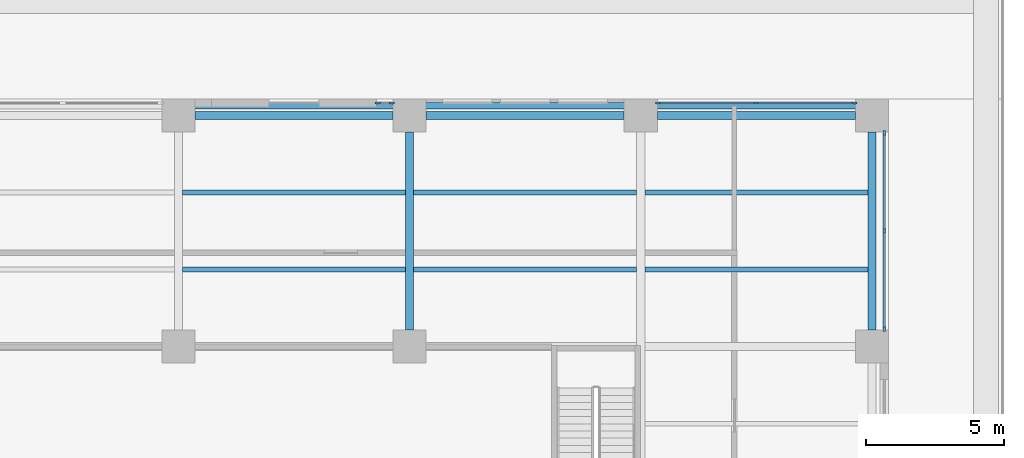
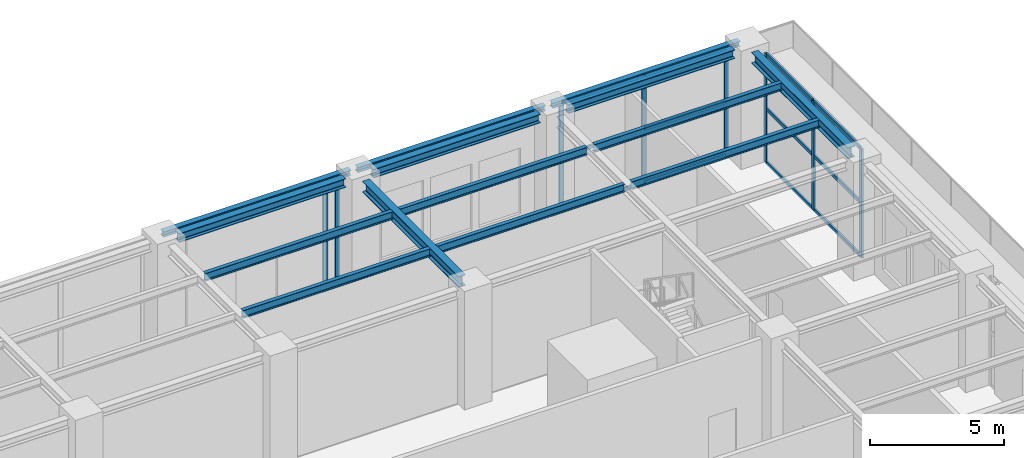
# One storey, part 10 of 36: 20 members, 14 beams, 3 elements without a shape of their own.
"""IFC4 building model written with IfcOpenShell, lengths in metres."""

from ifc_helpers import new_model, si_unit, direction, frame, origin, origin_2d, place, context, subcontext, project, spatial, rectangle, i_section, extrude, material, material_profile, profile_set, type_object, element, aggregate, save


model = new_model("IFC4")

# Units and contexts
model_context = context("Model", 3, precision=1e-05, world=origin(), true_north=direction((0.0, 1.0)))
body_context = subcontext(model_context, "Body", "Model", "MODEL_VIEW")
ifc_project = project(units=[si_unit("LENGTHUNIT", "METRE"), si_unit("AREAUNIT", "SQUARE_METRE"), si_unit("VOLUMEUNIT", "CUBIC_METRE"), si_unit("PLANEANGLEUNIT", "RADIAN"), si_unit("MASSUNIT", "GRAM", prefix="KILO")], contexts=[model_context])

# Site, building, storey
site_placement = place(None, origin())
site = spatial("IfcSite", under=ifc_project, at=site_placement, CompositionType="ELEMENT")
building_placement = place(site_placement, origin())
building = spatial("IfcBuilding", under=site, at=building_placement, Name="Khepri Terraces", CompositionType="ELEMENT")
storey_placement = place(building_placement, frame((0.0, 0.0, 16.800048828125)))
storey = spatial("IfcBuildingStorey", under=building, at=storey_placement, Name="L03", CompositionType="ELEMENT", Elevation=16.800048828125)

# Curtain wall, members
ifc_material_1 = material(Name="Anodised aluminium bronze curtain wall", Category="aluminium")
curtain_wall_type = type_object("IfcCurtainWallType", Name="CW-SYS5-BALLROOM", PredefinedType="NOTDEFINED", material=ifc_material_1)
curtain_wall_1_placement = place(storey_placement, origin())
curtain_wall_1 = element("IfcCurtainWall", 1, at=curtain_wall_1_placement, inside=storey, type_object=curtain_wall_type, Name="Curtain wall CW5 L03 E", PredefinedType="NOTDEFINED")
ifc_material_2 = material(Name="Anodised aluminium bronze", Category="aluminium")
ifc_material_profile_1 = material_profile(ifc_material_2, rectangle(XDim=0.080078125, YDim=0.199951171875, at=origin_2d()), Name="Anodised aluminium bronze", Category="aluminium")
ifc_profile_set_1 = profile_set([ifc_material_profile_1], Name="Anodised aluminium bronze")
member_type_1 = type_object("IfcMemberType", Name="CW-MULLION-80x200", PredefinedType="MULLION", material=ifc_profile_set_1)
member_1_placement = place(storey_placement, frame((34.050048828125, 25.840087890625, 0.0), z_axis=(0.0, 0.0, 1.0), x_axis=(-1.0, 0.0, 0.0)))
member_1 = element("IfcMember", 2, at=member_1_placement, type_object=member_type_1, Name="CW5 mullion 1", PredefinedType="MULLION", context=body_context, shape_type="SweptSolid", body=[
    extrude(rectangle(XDim=0.080078125, YDim=0.199951171875, at=origin_2d()), origin(), (0.0, 0.0, 1.0), 4.97998046875),
])
member_2_placement = place(storey_placement, frame((34.050048828125, 29.39990234375, 0.0), z_axis=(0.0, 0.0, 1.0), x_axis=(-1.0, 0.0, 0.0)))
member_2 = element("IfcMember", 3, at=member_2_placement, type_object=member_type_1, Name="CW5 mullion 2", PredefinedType="MULLION", context=body_context, shape_type="SweptSolid", body=[
    extrude(rectangle(XDim=0.080078125, YDim=0.199951171875, at=origin_2d()), origin(), (0.0, 0.0, 1.0), 4.97998046875),
])
member_3_placement = place(storey_placement, frame((34.050048828125, 32.9599609375, 0.0), z_axis=(0.0, 0.0, 1.0), x_axis=(-1.0, 0.0, 0.0)))
member_3 = element("IfcMember", 4, at=member_3_placement, type_object=member_type_1, Name="CW5 mullion 3", PredefinedType="MULLION", context=body_context, shape_type="SweptSolid", body=[
    extrude(rectangle(XDim=0.080078125, YDim=0.199951171875, at=origin_2d()), origin(), (0.0, 0.0, 1.0), 4.97998046875),
])

curtain_wall_2_placement = place(storey_placement, origin())
curtain_wall_2 = element("IfcCurtainWall", 5, at=curtain_wall_2_placement, inside=storey, type_object=curtain_wall_type, Name="Curtain wall CW5 L03 N", PredefinedType="NOTDEFINED")
member_4_placement = place(storey_placement, frame((32.9599609375, 34.050048828125, 0.0), z_axis=(0.0, 0.0, 1.0), x_axis=(0.0, -1.0, 0.0)))
member_4 = element("IfcMember", 6, at=member_4_placement, type_object=member_type_1, Name="CW5 mullion 1", PredefinedType="MULLION", context=body_context, shape_type="SweptSolid", body=[
    extrude(rectangle(XDim=0.080078125, YDim=0.199951171875, at=origin_2d()), origin(), (0.0, 0.0, 1.0), 4.97998046875),
])
member_5_placement = place(storey_placement, frame((29.39990234375, 34.050048828125, 0.0), z_axis=(0.0, 0.0, 1.0), x_axis=(0.0, -1.0, 0.0)))
member_5 = element("IfcMember", 7, at=member_5_placement, type_object=member_type_1, Name="CW5 mullion 2", PredefinedType="MULLION", context=body_context, shape_type="SweptSolid", body=[
    extrude(rectangle(XDim=0.080078125, YDim=0.199951171875, at=origin_2d()), origin(), (0.0, 0.0, 1.0), 4.97998046875),
])
member_6_placement = place(storey_placement, frame((25.840087890625, 34.050048828125, 0.0), z_axis=(0.0, 0.0, 1.0), x_axis=(0.0, -1.0, 0.0)))
member_6 = element("IfcMember", 8, at=member_6_placement, type_object=member_type_1, Name="CW5 mullion 3", PredefinedType="MULLION", context=body_context, shape_type="SweptSolid", body=[
    extrude(rectangle(XDim=0.080078125, YDim=0.199951171875, at=origin_2d()), origin(), (0.0, 0.0, 1.0), 4.97998046875),
])

curtain_wall_3_placement = place(storey_placement, origin())
curtain_wall_3 = element("IfcCurtainWall", 9, at=curtain_wall_3_placement, inside=storey, type_object=curtain_wall_type, Name="Curtain wall CW5 L03 N", PredefinedType="NOTDEFINED")
member_7_placement = place(storey_placement, frame((16.159912109375, 34.050048828125, 0.0), z_axis=(0.0, 0.0, 1.0), x_axis=(0.0, -1.0, 0.0)))
member_7 = element("IfcMember", 10, at=member_7_placement, type_object=member_type_1, Name="CW5 mullion 1", PredefinedType="MULLION", context=body_context, shape_type="SweptSolid", body=[
    extrude(rectangle(XDim=0.080078125, YDim=0.199951171875, at=origin_2d()), origin(), (0.0, 0.0, 1.0), 4.97998046875),
])
member_8_placement = place(storey_placement, frame((15.639892578125, 34.050048828125, 0.0), z_axis=(0.0, 0.0, 1.0), x_axis=(0.0, -1.0, 0.0)))
member_8 = element("IfcMember", 11, at=member_8_placement, type_object=member_type_1, Name="CW5 mullion 2", PredefinedType="MULLION", context=body_context, shape_type="SweptSolid", body=[
    extrude(rectangle(XDim=0.080078125, YDim=0.199951171875, at=origin_2d()), origin(), (0.0, 0.0, 1.0), 4.97998046875),
])
aggregate(curtain_wall_3, [member_7, member_8])

# Member
ifc_material_profile_2 = material_profile(ifc_material_2, rectangle(XDim=0.080078125, YDim=0.159912109375, at=origin_2d()), Name="Anodised aluminium bronze", Category="aluminium")
ifc_profile_set_2 = profile_set([ifc_material_profile_2], Name="Anodised aluminium bronze")
member_type_2 = type_object("IfcMemberType", Name="CW-TRANSOM-80x160", PredefinedType="USERDEFINED", material=ifc_profile_set_2)
member_9_placement = place(storey_placement, frame((34.050048828125, 25.8798828125, 0.0400390625), z_axis=(0.0, 1.0, 0.0), x_axis=(-1.0, 0.0, 0.0)))
member_9 = element("IfcMember", 12, at=member_9_placement, type_object=member_type_2, Name="CW5 transom 1.1", ObjectType="TRANSOM", PredefinedType="USERDEFINED", context=body_context, shape_type="SweptSolid", body=[
    extrude(rectangle(XDim=0.080078125, YDim=0.159912109375, at=origin_2d()), origin(), (0.0, 0.0, 1.0), 3.480224609375),
])

member_10_placement = place(storey_placement, frame((34.050048828125, 25.8798828125, 2.489990234375), z_axis=(0.0, 1.0, 0.0), x_axis=(-1.0, 0.0, 0.0)))
member_10 = element("IfcMember", 13, at=member_10_placement, type_object=member_type_2, Name="CW5 transom 1.2", ObjectType="TRANSOM", PredefinedType="USERDEFINED", context=body_context, shape_type="SweptSolid", body=[
    extrude(rectangle(XDim=0.080078125, YDim=0.159912109375, at=origin_2d()), origin(), (0.0, 0.0, 1.0), 3.480224609375),
])

member_11_placement = place(storey_placement, frame((34.050048828125, 25.8798828125, 4.93994140625), z_axis=(0.0, 1.0, 0.0), x_axis=(-1.0, 0.0, 0.0)))
member_11 = element("IfcMember", 14, at=member_11_placement, type_object=member_type_2, Name="CW5 transom 1.3", ObjectType="TRANSOM", PredefinedType="USERDEFINED", context=body_context, shape_type="SweptSolid", body=[
    extrude(rectangle(XDim=0.080078125, YDim=0.159912109375, at=origin_2d()), origin(), (0.0, 0.0, 1.0), 3.480224609375),
])

member_12_placement = place(storey_placement, frame((34.050048828125, 29.43994140625, 0.0400390625), z_axis=(0.0, 1.0, 0.0), x_axis=(-1.0, 0.0, 0.0)))
member_12 = element("IfcMember", 15, at=member_12_placement, type_object=member_type_2, Name="CW5 transom 2.1", ObjectType="TRANSOM", PredefinedType="USERDEFINED", context=body_context, shape_type="SweptSolid", body=[
    extrude(rectangle(XDim=0.080078125, YDim=0.159912109375, at=origin_2d()), origin(), (0.0, 0.0, 1.0), 3.47998046875),
])

member_13_placement = place(storey_placement, frame((34.050048828125, 29.43994140625, 2.489990234375), z_axis=(0.0, 1.0, 0.0), x_axis=(-1.0, 0.0, 0.0)))
member_13 = element("IfcMember", 16, at=member_13_placement, type_object=member_type_2, Name="CW5 transom 2.2", ObjectType="TRANSOM", PredefinedType="USERDEFINED", context=body_context, shape_type="SweptSolid", body=[
    extrude(rectangle(XDim=0.080078125, YDim=0.159912109375, at=origin_2d()), origin(), (0.0, 0.0, 1.0), 3.47998046875),
])

member_14_placement = place(storey_placement, frame((34.050048828125, 29.43994140625, 4.93994140625), z_axis=(0.0, 1.0, 0.0), x_axis=(-1.0, 0.0, 0.0)))
member_14 = element("IfcMember", 17, at=member_14_placement, type_object=member_type_2, Name="CW5 transom 2.3", ObjectType="TRANSOM", PredefinedType="USERDEFINED", context=body_context, shape_type="SweptSolid", body=[
    extrude(rectangle(XDim=0.080078125, YDim=0.159912109375, at=origin_2d()), origin(), (0.0, 0.0, 1.0), 3.47998046875),
])

aggregate(curtain_wall_1, [member_1, member_2, member_3, member_9, member_10, member_11, member_12, member_13, member_14])

member_15_placement = place(storey_placement, frame((32.919921875, 34.050048828125, 0.0400390625), z_axis=(-1.0, 0.0, 0.0), x_axis=(0.0, -1.0, 0.0)))
member_15 = element("IfcMember", 18, at=member_15_placement, type_object=member_type_2, Name="CW5 transom 1.1", ObjectType="TRANSOM", PredefinedType="USERDEFINED", context=body_context, shape_type="SweptSolid", body=[
    extrude(rectangle(XDim=0.080078125, YDim=0.159912109375, at=origin_2d()), origin(), (0.0, 0.0, 1.0), 3.47998046875),
])

member_16_placement = place(storey_placement, frame((32.919921875, 34.050048828125, 2.489990234375), z_axis=(-1.0, 0.0, 0.0), x_axis=(0.0, -1.0, 0.0)))
member_16 = element("IfcMember", 19, at=member_16_placement, type_object=member_type_2, Name="CW5 transom 1.2", ObjectType="TRANSOM", PredefinedType="USERDEFINED", context=body_context, shape_type="SweptSolid", body=[
    extrude(rectangle(XDim=0.080078125, YDim=0.159912109375, at=origin_2d()), origin(), (0.0, 0.0, 1.0), 3.47998046875),
])

member_17_placement = place(storey_placement, frame((32.919921875, 34.050048828125, 4.93994140625), z_axis=(-1.0, 0.0, 0.0), x_axis=(0.0, -1.0, 0.0)))
member_17 = element("IfcMember", 20, at=member_17_placement, type_object=member_type_2, Name="CW5 transom 1.3", ObjectType="TRANSOM", PredefinedType="USERDEFINED", context=body_context, shape_type="SweptSolid", body=[
    extrude(rectangle(XDim=0.080078125, YDim=0.159912109375, at=origin_2d()), origin(), (0.0, 0.0, 1.0), 3.47998046875),
])

member_18_placement = place(storey_placement, frame((29.360107421875, 34.050048828125, 0.0400390625), z_axis=(-1.0, 0.0, 0.0), x_axis=(0.0, -1.0, 0.0)))
member_18 = element("IfcMember", 21, at=member_18_placement, type_object=member_type_2, Name="CW5 transom 2.1", ObjectType="TRANSOM", PredefinedType="USERDEFINED", context=body_context, shape_type="SweptSolid", body=[
    extrude(rectangle(XDim=0.080078125, YDim=0.159912109375, at=origin_2d()), origin(), (0.0, 0.0, 1.0), 3.480224609375),
])

member_19_placement = place(storey_placement, frame((29.360107421875, 34.050048828125, 2.489990234375), z_axis=(-1.0, 0.0, 0.0), x_axis=(0.0, -1.0, 0.0)))
member_19 = element("IfcMember", 22, at=member_19_placement, type_object=member_type_2, Name="CW5 transom 2.2", ObjectType="TRANSOM", PredefinedType="USERDEFINED", context=body_context, shape_type="SweptSolid", body=[
    extrude(rectangle(XDim=0.080078125, YDim=0.159912109375, at=origin_2d()), origin(), (0.0, 0.0, 1.0), 3.480224609375),
])

member_20_placement = place(storey_placement, frame((29.360107421875, 34.050048828125, 4.93994140625), z_axis=(-1.0, 0.0, 0.0), x_axis=(0.0, -1.0, 0.0)))
member_20 = element("IfcMember", 23, at=member_20_placement, type_object=member_type_2, Name="CW5 transom 2.3", ObjectType="TRANSOM", PredefinedType="USERDEFINED", context=body_context, shape_type="SweptSolid", body=[
    extrude(rectangle(XDim=0.080078125, YDim=0.159912109375, at=origin_2d()), origin(), (0.0, 0.0, 1.0), 3.480224609375),
])

aggregate(curtain_wall_2, [member_4, member_5, member_6, member_15, member_16, member_17, member_18, member_19, member_20])

# Beams
ifc_material_3 = material(Name="Steel S355", Category="steel")
ifc_material_profile_3 = material_profile(ifc_material_3, i_section(OverallWidth=0.239990234375, OverallDepth=0.22998046875, WebThickness=0.007568359375, FlangeThickness=0.011962890625, FilletRadius=0.02099609375, at=origin_2d()), Name="Steel S355", Category="steel")
ifc_profile_set_3 = profile_set([ifc_material_profile_3], Name="Steel S355")
beam_type_1 = type_object("IfcBeamType", Name="Podium edge beam L04 HEA 240", PredefinedType="SPANDREL", material=ifc_profile_set_3)
beam_1_placement = place(storey_placement, frame((8.550048828125, 33.949951171875, 5.0849609375), z_axis=(1.0, 0.0, 0.0), x_axis=(0.0, 1.0, 0.0)))
element("IfcBeam", 24, at=beam_1_placement, inside=storey, type_object=beam_type_1, Name="Podium edge beam L04 014", PredefinedType="SPANDREL", context=body_context, shape_type="SweptSolid", body=[
    extrude(i_section(OverallWidth=0.239990234375, OverallDepth=0.22998046875, WebThickness=0.007568359375, FlangeThickness=0.011962890625, FilletRadius=0.02099609375, at=origin_2d()), origin(), (0.0, 0.0, 1.0), 8.099853515625),
])
beam_2_placement = place(storey_placement, frame((16.949951171875, 33.949951171875, 5.0849609375), z_axis=(1.0, 0.0, 0.0), x_axis=(0.0, 1.0, 0.0)))
element("IfcBeam", 25, at=beam_2_placement, inside=storey, type_object=beam_type_1, Name="Podium edge beam L04 015", PredefinedType="SPANDREL", context=body_context, shape_type="SweptSolid", body=[
    extrude(i_section(OverallWidth=0.239990234375, OverallDepth=0.22998046875, WebThickness=0.007568359375, FlangeThickness=0.011962890625, FilletRadius=0.02099609375, at=origin_2d()), origin(), (0.0, 0.0, 1.0), 8.10009765625),
])
beam_3_placement = place(storey_placement, frame((25.35009765625, 33.949951171875, 5.0849609375), z_axis=(1.0, 0.0, 0.0), x_axis=(0.0, 1.0, 0.0)))
element("IfcBeam", 26, at=beam_3_placement, inside=storey, type_object=beam_type_1, Name="Podium edge beam L04 016", PredefinedType="SPANDREL", context=body_context, shape_type="SweptSolid", body=[
    extrude(i_section(OverallWidth=0.239990234375, OverallDepth=0.22998046875, WebThickness=0.007568359375, FlangeThickness=0.011962890625, FilletRadius=0.02099609375, at=origin_2d()), origin(), (0.0, 0.0, 1.0), 8.099853515625),
])
ifc_material_profile_4 = material_profile(ifc_material_3, i_section(OverallWidth=0.300048828125, OverallDepth=0.5, WebThickness=0.014404296875, FlangeThickness=0.028076171875, FilletRadius=0.027099609375, at=origin_2d()), Name="Steel S355", Category="steel")
ifc_profile_set_4 = profile_set([ifc_material_profile_4], Name="Steel S355")
beam_type_2 = type_object("IfcBeamType", Name="Podium girder L04 HEB 500", PredefinedType="BEAM", material=ifc_profile_set_4)
for number, where, z_axis, x_axis, name in (
    (27, (16.800048828125, 25.800048828125, 4.949951171875), (0.0, 1.0, 0.0), (-1.0, 0.0, 0.0), "Podium girder L04 024"),
    (28, (33.60009765625, 25.800048828125, 4.949951171875), (0.0, 1.0, 0.0), (-1.0, 0.0, 0.0), "Podium girder L04 038"),
):
    element("IfcBeam", number, at=place(storey_placement, frame(where, z_axis=z_axis, x_axis=x_axis)), inside=storey, type_object=beam_type_2, Name=name, PredefinedType="BEAM", context=body_context, shape_type="SweptSolid", body=[
        extrude(i_section(OverallWidth=0.300048828125, OverallDepth=0.5, WebThickness=0.014404296875, FlangeThickness=0.028076171875, FilletRadius=0.027099609375, at=origin_2d()), origin(), (0.0, 0.0, 1.0), 7.199951171875),
    ])
ifc_material_profile_5 = material_profile(ifc_material_3, i_section(OverallWidth=0.300048828125, OverallDepth=0.39990234375, WebThickness=0.013427734375, FlangeThickness=0.02392578125, FilletRadius=0.027099609375, at=origin_2d()), Name="Steel S355", Category="steel")
ifc_profile_set_5 = profile_set([ifc_material_profile_5], Name="Steel S355")
beam_type_3 = type_object("IfcBeamType", Name="Podium girder L04 grid line HEB 400", PredefinedType="BEAM", material=ifc_profile_set_5)
beam_4_placement = place(storey_placement, frame((9.0, 33.60009765625, 5.0), z_axis=(1.0, 0.0, 0.0), x_axis=(0.0, 1.0, 0.0)))
element("IfcBeam", 29, at=beam_4_placement, inside=storey, type_object=beam_type_3, Name="Podium grid-line girder L04 092", PredefinedType="BEAM", context=body_context, shape_type="SweptSolid", body=[
    extrude(i_section(OverallWidth=0.300048828125, OverallDepth=0.39990234375, WebThickness=0.013427734375, FlangeThickness=0.02392578125, FilletRadius=0.027099609375, at=origin_2d()), origin(), (0.0, 0.0, 1.0), 7.199951171875),
])
beam_5_placement = place(storey_placement, frame((17.39990234375, 33.60009765625, 5.0), z_axis=(1.0, 0.0, 0.0), x_axis=(0.0, 1.0, 0.0)))
element("IfcBeam", 30, at=beam_5_placement, inside=storey, type_object=beam_type_3, Name="Podium grid-line girder L04 093", PredefinedType="BEAM", context=body_context, shape_type="SweptSolid", body=[
    extrude(i_section(OverallWidth=0.300048828125, OverallDepth=0.39990234375, WebThickness=0.013427734375, FlangeThickness=0.02392578125, FilletRadius=0.027099609375, at=origin_2d()), origin(), (0.0, 0.0, 1.0), 7.2001953125),
])
beam_6_placement = place(storey_placement, frame((25.800048828125, 33.60009765625, 5.0), z_axis=(1.0, 0.0, 0.0), x_axis=(0.0, 1.0, 0.0)))
element("IfcBeam", 31, at=beam_6_placement, inside=storey, type_object=beam_type_3, Name="Podium grid-line girder L04 094", PredefinedType="BEAM", context=body_context, shape_type="SweptSolid", body=[
    extrude(i_section(OverallWidth=0.300048828125, OverallDepth=0.39990234375, WebThickness=0.013427734375, FlangeThickness=0.02392578125, FilletRadius=0.027099609375, at=origin_2d()), origin(), (0.0, 0.0, 1.0), 7.199951171875),
])
ifc_material_profile_6 = material_profile(ifc_material_3, i_section(OverallWidth=0.169921875, OverallDepth=0.360107421875, WebThickness=0.008056640625, FlangeThickness=0.0126953125, FilletRadius=0.01806640625, at=origin_2d()), Name="Steel S355", Category="steel")
ifc_profile_set_6 = profile_set([ifc_material_profile_6], Name="Steel S355")
beam_type_4 = type_object("IfcBeamType", Name="Podium joist L04 IPE 360", PredefinedType="JOIST", material=ifc_profile_set_6)
beam_7_placement = place(storey_placement, frame((8.550048828125, 28.0, 5.02001953125), z_axis=(1.0, 0.0, 0.0), x_axis=(0.0, 1.0, 0.0)))
element("IfcBeam", 32, at=beam_7_placement, inside=storey, type_object=beam_type_4, Name="Podium joist L04 076", PredefinedType="JOIST", context=body_context, shape_type="SweptSolid", body=[
    extrude(i_section(OverallWidth=0.169921875, OverallDepth=0.360107421875, WebThickness=0.008056640625, FlangeThickness=0.0126953125, FilletRadius=0.01806640625, at=origin_2d()), origin(), (0.0, 0.0, 1.0), 8.099853515625),
])
beam_8_placement = place(storey_placement, frame((16.949951171875, 28.0, 5.02001953125), z_axis=(1.0, 0.0, 0.0), x_axis=(0.0, 1.0, 0.0)))
element("IfcBeam", 33, at=beam_8_placement, inside=storey, type_object=beam_type_4, Name="Podium joist L04 077", PredefinedType="JOIST", context=body_context, shape_type="SweptSolid", body=[
    extrude(i_section(OverallWidth=0.169921875, OverallDepth=0.360107421875, WebThickness=0.008056640625, FlangeThickness=0.0126953125, FilletRadius=0.01806640625, at=origin_2d()), origin(), (0.0, 0.0, 1.0), 8.10009765625),
])
for number, where, z_axis, x_axis, name in (
    (34, (25.35009765625, 28.0, 5.02001953125), (1.0, 0.0, 0.0), (0.0, 1.0, 0.0), "Podium joist L04 078"),
    (35, (8.550048828125, 30.800048828125, 5.02001953125), (1.0, 0.0, 0.0), (0.0, 1.0, 0.0), "Podium joist L04 084"),
):
    element("IfcBeam", number, at=place(storey_placement, frame(where, z_axis=z_axis, x_axis=x_axis)), inside=storey, type_object=beam_type_4, Name=name, PredefinedType="JOIST", context=body_context, shape_type="SweptSolid", body=[
        extrude(i_section(OverallWidth=0.169921875, OverallDepth=0.360107421875, WebThickness=0.008056640625, FlangeThickness=0.0126953125, FilletRadius=0.01806640625, at=origin_2d()), origin(), (0.0, 0.0, 1.0), 8.099853515625),
    ])
beam_9_placement = place(storey_placement, frame((16.949951171875, 30.800048828125, 5.02001953125), z_axis=(1.0, 0.0, 0.0), x_axis=(0.0, 1.0, 0.0)))
element("IfcBeam", 36, at=beam_9_placement, inside=storey, type_object=beam_type_4, Name="Podium joist L04 085", PredefinedType="JOIST", context=body_context, shape_type="SweptSolid", body=[
    extrude(i_section(OverallWidth=0.169921875, OverallDepth=0.360107421875, WebThickness=0.008056640625, FlangeThickness=0.0126953125, FilletRadius=0.01806640625, at=origin_2d()), origin(), (0.0, 0.0, 1.0), 8.10009765625),
])
beam_10_placement = place(storey_placement, frame((25.35009765625, 30.800048828125, 5.02001953125), z_axis=(1.0, 0.0, 0.0), x_axis=(0.0, 1.0, 0.0)))
element("IfcBeam", 37, at=beam_10_placement, inside=storey, type_object=beam_type_4, Name="Podium joist L04 086", PredefinedType="JOIST", context=body_context, shape_type="SweptSolid", body=[
    extrude(i_section(OverallWidth=0.169921875, OverallDepth=0.360107421875, WebThickness=0.008056640625, FlangeThickness=0.0126953125, FilletRadius=0.01806640625, at=origin_2d()), origin(), (0.0, 0.0, 1.0), 8.099853515625),
])

save(model, "model.ifc")
